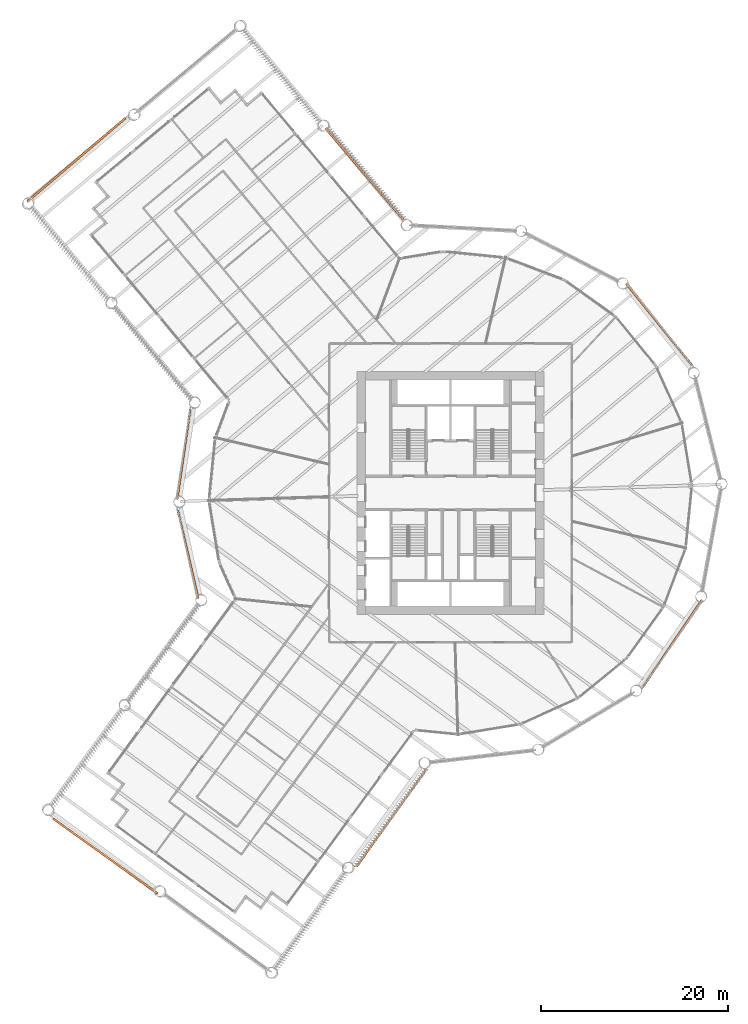
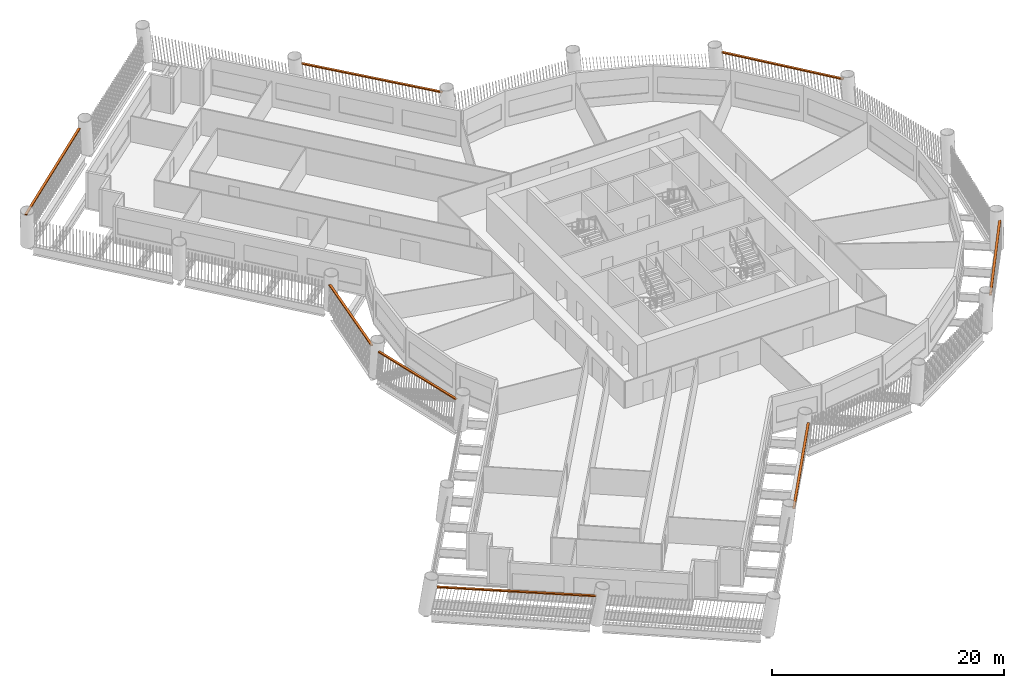
# One storey, part 15 of 15: 8 proxies.
"""IFC4 building model written with IfcOpenShell, lengths in metres."""

from ifc_helpers import new_model, si_unit, direction, frame, origin, origin_2d, place, context, subcontext, project, spatial, rectangle, extrude, material, type_object, element, save


model = new_model("IFC4")

# Units and contexts
model_context = context("Model", 3, precision=1e-05, world=origin(), true_north=direction((0.0, 1.0)))
body_context = subcontext(model_context, "Body", "Model", "MODEL_VIEW")
ifc_project = project(units=[si_unit("LENGTHUNIT", "METRE"), si_unit("AREAUNIT", "SQUARE_METRE"), si_unit("VOLUMEUNIT", "CUBIC_METRE"), si_unit("PLANEANGLEUNIT", "RADIAN"), si_unit("MASSUNIT", "GRAM", prefix="KILO")], contexts=[model_context])

# Site, building, storey
site_placement = place(None, origin())
site = spatial("IfcSite", under=ifc_project, at=site_placement, CompositionType="ELEMENT")
building_placement = place(site_placement, origin())
building = spatial("IfcBuilding", under=site, at=building_placement, Name="Tarsis Ring Headquarters", CompositionType="ELEMENT")
storey_placement = place(building_placement, frame((0.0, 0.0, 43.89990234375)))
storey = spatial("IfcBuildingStorey", under=building, at=storey_placement, Name="L08", CompositionType="ELEMENT", Elevation=43.89990234375)

# Proxies
ifc_material = material(Name="Structural steel S355", Category="steel")
building_element_proxy_type = type_object("IfcBuildingElementProxyType", Name="Screen bracket plate", PredefinedType="USERDEFINED", material=ifc_material)
proxy_1_placement = place(storey_placement, frame((-28.118896484375, -6.53564453125, 2.95263671875), z_axis=(0.0, 0.0, 1.0), x_axis=(0.226396041359, -0.974035334296, 0.0)))
element("IfcBuildingElementProxy", 1, at=proxy_1_placement, inside=storey, type_object=building_element_proxy_type, Name="Screen bracket L08-00", ObjectType="Bracket", PredefinedType="USERDEFINED", context=body_context, shape_type="SweptSolid", body=[
    extrude(rectangle(XDim=9.771728515625, YDim=0.222900390625, at=origin_2d()), origin(), (0.0, 0.0, 1.0), 0.1201171875),
])
proxy_2_placement = place(storey_placement, frame((-36.94140625, -38.88720703125, 2.95263671875), z_axis=(0.0, 0.0, 1.0), x_axis=(0.813100750887, -0.582122984349, 0.0)))
element("IfcBuildingElementProxy", 2, at=proxy_2_placement, inside=storey, type_object=building_element_proxy_type, Name="Screen bracket L08-03", ObjectType="Bracket", PredefinedType="USERDEFINED", context=body_context, shape_type="SweptSolid", body=[
    extrude(rectangle(XDim=13.800048828125, YDim=0.222900390625, at=origin_2d()), origin(), (0.0, 0.0, 1.0), 0.1201171875),
])
proxy_3_placement = place(storey_placement, frame((-6.2998046875, -34.779541015625, 2.95263671875), z_axis=(0.0, 0.0, 1.0), x_axis=(0.582123026922, 0.813100720407, 0.0)))
element("IfcBuildingElementProxy", 3, at=proxy_3_placement, inside=storey, type_object=building_element_proxy_type, Name="Screen bracket L08-06", ObjectType="Bracket", PredefinedType="USERDEFINED", context=body_context, shape_type="SweptSolid", body=[
    extrude(rectangle(XDim=12.90234375, YDim=0.222900390625, at=origin_2d()), origin(), (0.0, 0.0, 1.0), 0.1201171875),
])
for number, where, z_axis, x_axis, name in (
    (4, (23.77734375, -16.106689453125, 2.95263671875), (0.0, 0.0, 1.0), (0.560837539682, 0.827925874752, 0.0), "Screen bracket L08-09"),
    (5, (22.34619140625, 18.039794921875, 2.95263671875), (0.0, 0.0, 1.0), (-0.628149695871, 0.778092513508, 0.0), "Screen bracket L08-12"),
):
    element("IfcBuildingElementProxy", number, at=place(storey_placement, frame(where, z_axis=z_axis, x_axis=x_axis)), inside=storey, type_object=building_element_proxy_type, Name=name, ObjectType="Bracket", PredefinedType="USERDEFINED", context=body_context, shape_type="SweptSolid", body=[
        extrude(rectangle(XDim=11.248779296875, YDim=0.222900390625, at=origin_2d()), origin(), (0.0, 0.0, 1.0), 0.1201171875),
    ])
proxy_4_placement = place(storey_placement, frame((-9.18798828125, 34.13037109375, 2.95263671875), z_axis=(0.0, 0.0, 1.0), x_axis=(-0.648119887772, 0.761538318849, 0.0)))
element("IfcBuildingElementProxy", 6, at=proxy_4_placement, inside=storey, type_object=building_element_proxy_type, Name="Screen bracket L08-15", ObjectType="Bracket", PredefinedType="USERDEFINED", context=body_context, shape_type="SweptSolid", body=[
    extrude(rectangle(XDim=12.90234375, YDim=0.222900390625, at=origin_2d()), origin(), (0.0, 0.0, 1.0), 0.1201171875),
])
proxy_5_placement = place(storey_placement, frame((-40.06591796875, 35.659423828125, 2.95263671875), z_axis=(0.0, 0.0, 1.0), x_axis=(-0.761538296225, -0.648119914354, 0.0)))
element("IfcBuildingElementProxy", 7, at=proxy_5_placement, inside=storey, type_object=building_element_proxy_type, Name="Screen bracket L08-18", ObjectType="Bracket", PredefinedType="USERDEFINED", context=body_context, shape_type="SweptSolid", body=[
    extrude(rectangle(XDim=13.800048828125, YDim=0.222900390625, at=origin_2d()), origin(), (0.0, 0.0, 1.0), 0.1201171875),
])
proxy_6_placement = place(storey_placement, frame((-28.567138671875, 4.159912109375, 2.95263671875), z_axis=(0.0, 0.0, 1.0), x_axis=(-0.144096879744, -0.989563585248, 0.0)))
element("IfcBuildingElementProxy", 8, at=proxy_6_placement, inside=storey, type_object=building_element_proxy_type, Name="Screen bracket L08-21", ObjectType="Bracket", PredefinedType="USERDEFINED", context=body_context, shape_type="SweptSolid", body=[
    extrude(rectangle(XDim=9.771728515625, YDim=0.222900390625, at=origin_2d()), origin(), (0.0, 0.0, 1.0), 0.1201171875),
])

save(model, "model.ifc")
